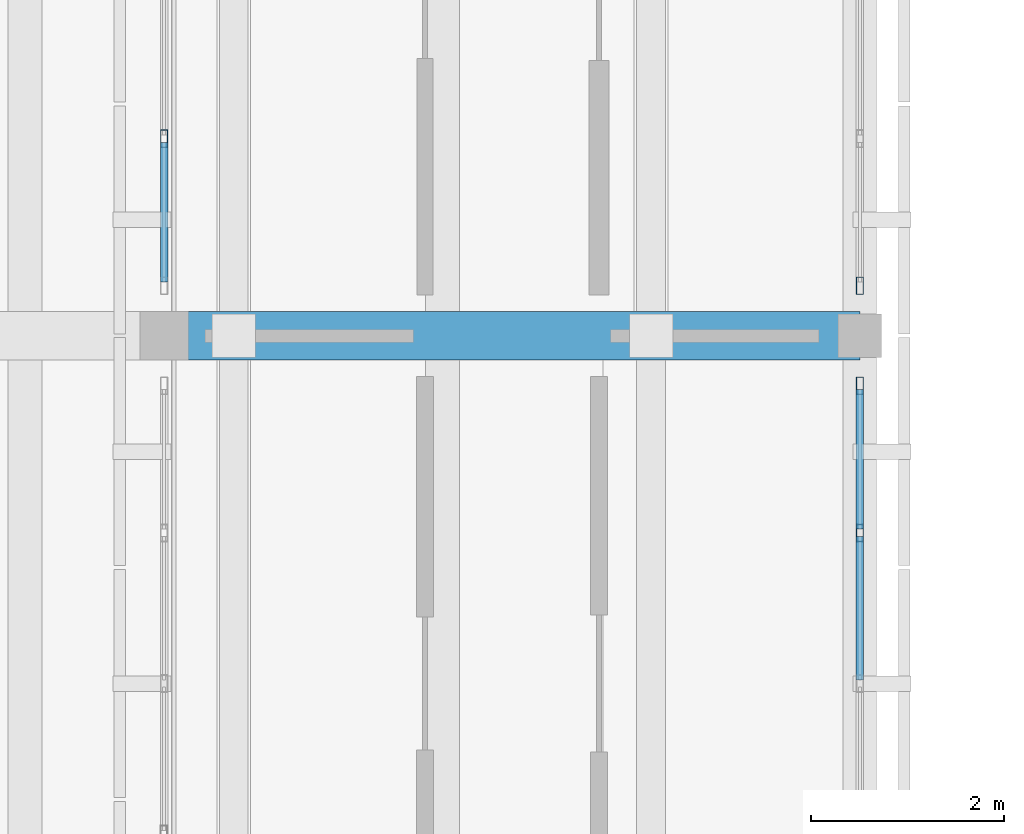
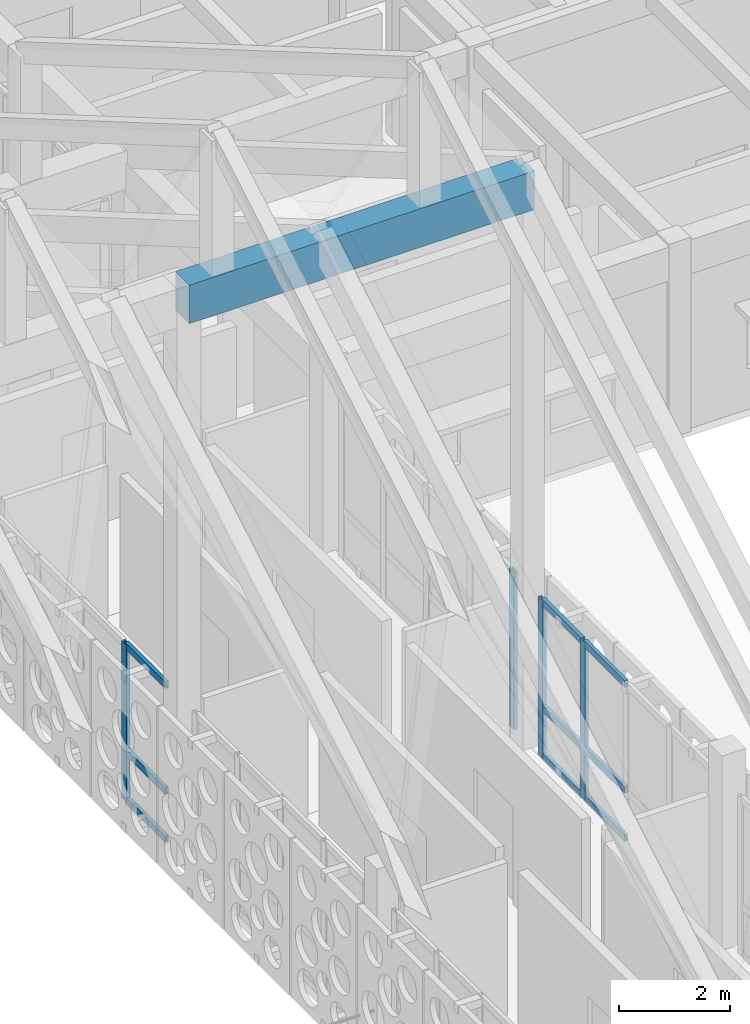
# One storey, part 46 of 171: 13 members, 1 beam, 3 elements without a shape of their own.
"""IFC4 building model written with IfcOpenShell, lengths in metres."""

from ifc_helpers import new_model, si_unit, direction, frame, origin, origin_2d, place, context, subcontext, project, spatial, rectangle, hollow_rectangle, extrude, material, material_profile, profile_set, type_object, element, aggregate, save


model = new_model("IFC4")

# Units and contexts
model_context = context("Model", 3, precision=1e-05, world=origin(), true_north=direction((0.0, 1.0)))
body_context = subcontext(model_context, "Body", "Model", "MODEL_VIEW")
ifc_project = project(units=[si_unit("LENGTHUNIT", "METRE"), si_unit("AREAUNIT", "SQUARE_METRE"), si_unit("VOLUMEUNIT", "CUBIC_METRE"), si_unit("PLANEANGLEUNIT", "RADIAN"), si_unit("MASSUNIT", "GRAM", prefix="KILO")], contexts=[model_context])

# Site, building, storey
site_placement = place(None, origin())
site = spatial("IfcSite", under=ifc_project, at=site_placement, CompositionType="ELEMENT")
building_placement = place(site_placement, origin())
building = spatial("IfcBuilding", under=site, at=building_placement, Name="Aldebral Square Health Centre", CompositionType="ELEMENT")
storey_placement = place(building_placement, frame((0.0, 0.0, 4.5)))
storey = spatial("IfcBuildingStorey", under=building, at=storey_placement, Name="L01", CompositionType="ELEMENT", Elevation=4.5)

# Beam
ifc_material_1 = material(Name="Concrete C40/50", Category="concrete")
ifc_material_profile_1 = material_profile(ifc_material_1, rectangle(XDim=0.5, YDim=0.85009765625, at=origin_2d()), Name="RC 500x850")
ifc_profile_set_1 = profile_set([ifc_material_profile_1], Name="Concrete C40/50")
beam_type = type_object("IfcBeamType", Name="BM-G1", PredefinedType="T_BEAM", material=ifc_profile_set_1)
beam_placement = place(storey_placement, frame((100.800048828125, 86.39990234375, 12.294921875), z_axis=(1.0, 0.0, 0.0), x_axis=(0.0, 1.0, 0.0)))
element("IfcBeam", 1, at=beam_placement, inside=storey, type_object=beam_type, Name="Waiting Hall diaphragm girder SPINE-M 15", PredefinedType="T_BEAM", context=body_context, shape_type="SweptSolid", body=[
    extrude(rectangle(XDim=0.5, YDim=0.85009765625, at=origin_2d()), origin(), (0.0, 0.0, 1.0), 7.199951171875),
])

# Curtain wall, members
ifc_material_2 = material(Name="Aluminium and low-E solar glass", Category="aluminium")
curtain_wall_type = type_object("IfcCurtainWallType", Name="CW-HALL-SYS", PredefinedType="USERDEFINED", material=ifc_material_2)
curtain_wall_1_placement = place(storey_placement, origin())
curtain_wall_1 = element("IfcCurtainWall", 2, at=curtain_wall_1_placement, inside=storey, type_object=curtain_wall_type, Name="L01 V1 hall curtain wall L01-V1-14-11-E", ObjectType="HALL_CURTAIN_WALL", PredefinedType="USERDEFINED")
ifc_material_3 = material(Name="Anodised aluminium mullion", Category="aluminium")
ifc_material_profile_2 = material_profile(ifc_material_3, hollow_rectangle(XDim=0.074951171875, YDim=0.179931640625, WallThickness=0.00390625, at=origin_2d()), Name="CWM 75x180x4")
ifc_profile_set_2 = profile_set([ifc_material_profile_2], Name="Anodised aluminium mullion")
member_type_1 = type_object("IfcMemberType", Name="CWM-STD", PredefinedType="MULLION", material=ifc_profile_set_2)
member_1_placement = place(storey_placement, frame((108.0, 84.360107421875, 0.0), z_axis=(0.0, 0.0, 1.0), x_axis=(-1.0, 0.0, 0.0)))
member_1 = element("IfcMember", 3, at=member_1_placement, type_object=member_type_1, Name="CW2 mullion 4", PredefinedType="MULLION", context=body_context, shape_type="SweptSolid", body=[
    extrude(hollow_rectangle(XDim=0.074951171875, YDim=0.179931640625, WallThickness=0.00390625, at=origin_2d()), origin(), (0.0, 0.0, 1.0), 3.469970703125),
])
member_2_placement = place(storey_placement, frame((108.0, 85.882568359375, 0.0), z_axis=(0.0, 0.0, 1.0), x_axis=(-1.0, 0.0, 0.0)))
member_2 = element("IfcMember", 4, at=member_2_placement, type_object=member_type_1, Name="CW2 mullion 5", PredefinedType="MULLION", context=body_context, shape_type="SweptSolid", body=[
    extrude(hollow_rectangle(XDim=0.074951171875, YDim=0.179931640625, WallThickness=0.00390625, at=origin_2d()), origin(), (0.0, 0.0, 1.0), 3.469970703125),
])

# Curtain wall, member
curtain_wall_2_placement = place(storey_placement, origin())
curtain_wall_2 = element("IfcCurtainWall", 5, at=curtain_wall_2_placement, inside=storey, type_object=curtain_wall_type, Name="L01 V1 hall curtain wall L01-V1-14-12-W", ObjectType="HALL_CURTAIN_WALL", PredefinedType="USERDEFINED")
member_3_placement = place(storey_placement, frame((100.800048828125, 88.43994140625, 0.0), z_axis=(0.0, 0.0, 1.0), x_axis=(1.0, 0.0, 0.0)))
member_3 = element("IfcMember", 6, at=member_3_placement, type_object=member_type_1, Name="CW2 mullion 4", PredefinedType="MULLION", context=body_context, shape_type="SweptSolid", body=[
    extrude(hollow_rectangle(XDim=0.074951171875, YDim=0.179931640625, WallThickness=0.00390625, at=origin_2d()), origin(), (0.0, 0.0, 1.0), 3.469970703125),
])

curtain_wall_3_placement = place(storey_placement, origin())
curtain_wall_3 = element("IfcCurtainWall", 7, at=curtain_wall_3_placement, inside=storey, type_object=curtain_wall_type, Name="L01 V1 hall curtain wall L01-V1-14-12-E", ObjectType="HALL_CURTAIN_WALL", PredefinedType="USERDEFINED")
member_4_placement = place(storey_placement, frame((108.0, 86.91748046875, 0.0), z_axis=(0.0, 0.0, 1.0), x_axis=(-1.0, 0.0, 0.0)))
member_4 = element("IfcMember", 8, at=member_4_placement, type_object=member_type_1, Name="CW2 mullion 1", PredefinedType="MULLION", context=body_context, shape_type="SweptSolid", body=[
    extrude(hollow_rectangle(XDim=0.074951171875, YDim=0.179931640625, WallThickness=0.00390625, at=origin_2d()), origin(), (0.0, 0.0, 1.0), 3.469970703125),
])
aggregate(curtain_wall_3, [member_4])

# Member
ifc_material_4 = material(Name="Anodised aluminium transom", Category="aluminium")
ifc_material_profile_3 = material_profile(ifc_material_4, hollow_rectangle(XDim=0.074951171875, YDim=0.14990234375, WallThickness=0.00390625, at=origin_2d()), Name="CWT 75x150x4")
ifc_profile_set_3 = profile_set([ifc_material_profile_3], Name="Anodised aluminium transom")
member_type_2 = type_object("IfcMemberType", Name="CWT-STD", PredefinedType="USERDEFINED", material=ifc_profile_set_3)
member_5_placement = place(storey_placement, frame((108.0, 82.83740234375, 0.03759765625), z_axis=(0.0, 1.0, 0.0), x_axis=(-1.0, 0.0, 0.0)))
member_5 = element("IfcMember", 9, at=member_5_placement, type_object=member_type_2, Name="CW2 transom 3.1", ObjectType="TRANSOM", PredefinedType="USERDEFINED", context=body_context, shape_type="SweptSolid", body=[
    extrude(hollow_rectangle(XDim=0.074951171875, YDim=0.14990234375, WallThickness=0.00390625, at=origin_2d()), origin(), (0.0, 0.0, 1.0), 1.485107421875),
])

member_6_placement = place(storey_placement, frame((108.0, 82.83740234375, 1.10009765625), z_axis=(0.0, 1.0, 0.0), x_axis=(-1.0, 0.0, 0.0)))
member_6 = element("IfcMember", 10, at=member_6_placement, type_object=member_type_2, Name="CW2 transom 3.2", ObjectType="TRANSOM", PredefinedType="USERDEFINED", context=body_context, shape_type="SweptSolid", body=[
    extrude(hollow_rectangle(XDim=0.074951171875, YDim=0.14990234375, WallThickness=0.00390625, at=origin_2d()), origin(), (0.0, 0.0, 1.0), 1.485107421875),
])

member_7_placement = place(storey_placement, frame((108.0, 82.83740234375, 3.4326171875), z_axis=(0.0, 1.0, 0.0), x_axis=(-1.0, 0.0, 0.0)))
member_7 = element("IfcMember", 11, at=member_7_placement, type_object=member_type_2, Name="CW2 transom 3.3", ObjectType="TRANSOM", PredefinedType="USERDEFINED", context=body_context, shape_type="SweptSolid", body=[
    extrude(hollow_rectangle(XDim=0.074951171875, YDim=0.14990234375, WallThickness=0.00390625, at=origin_2d()), origin(), (0.0, 0.0, 1.0), 1.485107421875),
])

member_8_placement = place(storey_placement, frame((108.0, 84.3974609375, 0.03759765625), z_axis=(0.0, 1.0, 0.0), x_axis=(-1.0, 0.0, 0.0)))
member_8 = element("IfcMember", 12, at=member_8_placement, type_object=member_type_2, Name="CW2 transom 4.1", ObjectType="TRANSOM", PredefinedType="USERDEFINED", context=body_context, shape_type="SweptSolid", body=[
    extrude(hollow_rectangle(XDim=0.074951171875, YDim=0.14990234375, WallThickness=0.00390625, at=origin_2d()), origin(), (0.0, 0.0, 1.0), 1.447509765625),
])

member_9_placement = place(storey_placement, frame((108.0, 84.3974609375, 1.10009765625), z_axis=(0.0, 1.0, 0.0), x_axis=(-1.0, 0.0, 0.0)))
member_9 = element("IfcMember", 13, at=member_9_placement, type_object=member_type_2, Name="CW2 transom 4.2", ObjectType="TRANSOM", PredefinedType="USERDEFINED", context=body_context, shape_type="SweptSolid", body=[
    extrude(hollow_rectangle(XDim=0.074951171875, YDim=0.14990234375, WallThickness=0.00390625, at=origin_2d()), origin(), (0.0, 0.0, 1.0), 1.447509765625),
])

member_10_placement = place(storey_placement, frame((108.0, 84.3974609375, 3.4326171875), z_axis=(0.0, 1.0, 0.0), x_axis=(-1.0, 0.0, 0.0)))
member_10 = element("IfcMember", 14, at=member_10_placement, type_object=member_type_2, Name="CW2 transom 4.3", ObjectType="TRANSOM", PredefinedType="USERDEFINED", context=body_context, shape_type="SweptSolid", body=[
    extrude(hollow_rectangle(XDim=0.074951171875, YDim=0.14990234375, WallThickness=0.00390625, at=origin_2d()), origin(), (0.0, 0.0, 1.0), 1.447509765625),
])

aggregate(curtain_wall_1, [member_1, member_2, member_5, member_6, member_7, member_8, member_9, member_10])

member_11_placement = place(storey_placement, frame((100.800048828125, 88.402587890625, 0.03759765625), z_axis=(0.0, -1.0, 0.0), x_axis=(1.0, 0.0, 0.0)))
member_11 = element("IfcMember", 15, at=member_11_placement, type_object=member_type_2, Name="CW2 transom 4.1", ObjectType="TRANSOM", PredefinedType="USERDEFINED", context=body_context, shape_type="SweptSolid", body=[
    extrude(hollow_rectangle(XDim=0.074951171875, YDim=0.14990234375, WallThickness=0.00390625, at=origin_2d()), origin(), (0.0, 0.0, 1.0), 1.447509765625),
])

member_12_placement = place(storey_placement, frame((100.800048828125, 88.402587890625, 1.10009765625), z_axis=(0.0, -1.0, 0.0), x_axis=(1.0, 0.0, 0.0)))
member_12 = element("IfcMember", 16, at=member_12_placement, type_object=member_type_2, Name="CW2 transom 4.2", ObjectType="TRANSOM", PredefinedType="USERDEFINED", context=body_context, shape_type="SweptSolid", body=[
    extrude(hollow_rectangle(XDim=0.074951171875, YDim=0.14990234375, WallThickness=0.00390625, at=origin_2d()), origin(), (0.0, 0.0, 1.0), 1.447509765625),
])

member_13_placement = place(storey_placement, frame((100.800048828125, 88.402587890625, 3.4326171875), z_axis=(0.0, -1.0, 0.0), x_axis=(1.0, 0.0, 0.0)))
member_13 = element("IfcMember", 17, at=member_13_placement, type_object=member_type_2, Name="CW2 transom 4.3", ObjectType="TRANSOM", PredefinedType="USERDEFINED", context=body_context, shape_type="SweptSolid", body=[
    extrude(hollow_rectangle(XDim=0.074951171875, YDim=0.14990234375, WallThickness=0.00390625, at=origin_2d()), origin(), (0.0, 0.0, 1.0), 1.447509765625),
])

aggregate(curtain_wall_2, [member_3, member_11, member_12, member_13])

save(model, "model.ifc")
